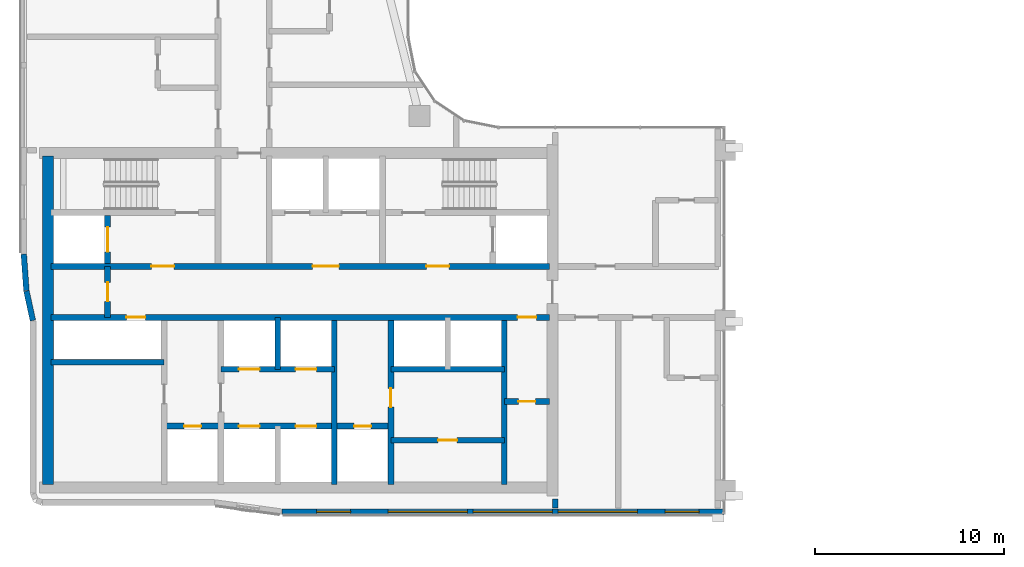
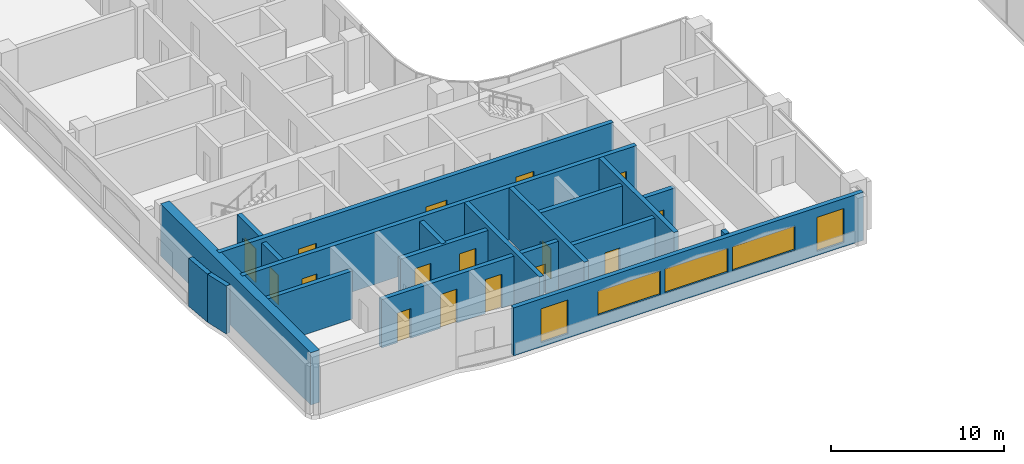
# One storey, part 10 of 23: 19 walls, 16 doors, 5 windows, 21 openings.
"""IFC4 building model written with IfcOpenShell, lengths in metres."""

from ifc_helpers import new_model, si_unit, direction, frame, frame_2d, origin, place, context, subcontext, project, spatial, rectangle, extrude, material, layer, layer_set, type_object, element, fill, save


model = new_model("IFC4")

# Units and contexts
model_context = context("Model", 3, precision=1e-05, world=origin(), true_north=direction((0.0, 1.0)))
body_context = subcontext(model_context, "Body", "Model", "MODEL_VIEW")
ifc_project = project(units=[si_unit("LENGTHUNIT", "METRE"), si_unit("AREAUNIT", "SQUARE_METRE"), si_unit("VOLUMEUNIT", "CUBIC_METRE"), si_unit("PLANEANGLEUNIT", "RADIAN"), si_unit("MASSUNIT", "GRAM", prefix="KILO")], contexts=[model_context])

# Site, building, storey
site_placement = place(None, origin())
site = spatial("IfcSite", under=ifc_project, at=site_placement, CompositionType="ELEMENT")
building_placement = place(site_placement, origin())
building = spatial("IfcBuilding", under=site, at=building_placement, Name="Ogive Portal Towers", CompositionType="ELEMENT")
storey_placement = place(building_placement, frame((0.0, 0.0, 164.39990234375)))
storey = spatial("IfcBuildingStorey", under=building, at=storey_placement, Name="L40", CompositionType="ELEMENT", Elevation=164.39990234375)

# Wall
ifc_material_1 = material(Name="Concrete C60/75", Category="concrete")
ifc_layer_1 = layer(ifc_material_1, 0.300048828125)
ifc_layer_set_1 = layer_set([ifc_layer_1], Name="CORE WALL 300 C60")
wall_type_1 = type_object("IfcWallType", Name="CORE WALL 300 C60", PredefinedType="SHEAR", material=ifc_layer_set_1)
wall_1_placement = place(storey_placement, frame((46.800048828125, 21.800048828125, 0.0), z_axis=(0.0, 0.0, 1.0), x_axis=(0.0, 1.0, 0.0)))
element("IfcWall", 1, at=wall_1_placement, inside=storey, type_object=wall_type_1, Name="Core wall X3 L40", PredefinedType="SHEAR", context=body_context, shape_type="SweptSolid", body=[
    extrude(rectangle(XDim=8.699951171875, YDim=0.300048828125, at=frame_2d((4.35009765625, 0.0))), origin(), (0.0, 0.0, 1.0), 3.7001953125),
])

# Wall, opening, door
wall_2_placement = place(storey_placement, frame((49.800048828125, 21.800048828125, 0.0), z_axis=(0.0, 0.0, 1.0), x_axis=(0.0, 1.0, 0.0)))
wall_2 = element("IfcWall", 2, at=wall_2_placement, inside=storey, type_object=wall_type_1, Name="Core wall X4 L40", PredefinedType="SHEAR", context=body_context, shape_type="SweptSolid", body=[
    extrude(rectangle(XDim=8.699951171875, YDim=0.300048828125, at=frame_2d((4.35009765625, 0.0))), origin(), (0.0, 0.0, 1.0), 3.7001953125),
])
opening_1_placement = place(wall_2_placement, frame((4.10009765625, 0.0, 0.0)))
opening_1 = element("IfcOpeningElement", 3, at=opening_1_placement, cuts=wall_2, Name="Opening D16-023", PredefinedType="OPENING", context=body_context, shape_type="SweptSolid", body=[
    extrude(rectangle(XDim=1.0, YDim=2.10009765625, at=frame_2d((0.5, 1.050048828125))), frame((0.0, 0.16015625, 0.0), z_axis=(0.0, -1.0, 0.0), x_axis=(1.0, 0.0, 0.0)), (0.0, 0.0, 1.0), 0.320068359375),
])
ifc_material_2 = material(Name="Steel fire door", Category="steel")
door_type_1 = type_object("IfcDoorType", Name="DT-SWING-1000x2100-FD90S", OperationType="SINGLE_SWING_LEFT", PredefinedType="DOOR", material=ifc_material_2)
door_1_placement = place(opening_1_placement, origin())
door_1 = element("IfcDoor", 4, at=door_1_placement, inside=storey, type_object=door_type_1, Name="Door D16-023", OperationType="SINGLE_SWING_LEFT", OverallHeight=2.10009765625, OverallWidth=1.0, PredefinedType="DOOR", context=body_context, shape_type="SweptSolid", body=[
    extrude(rectangle(XDim=1.0, YDim=2.10009765625, at=frame_2d((0.5, 1.050048828125))), frame((0.0, 0.02490234375, 0.0), z_axis=(0.0, -1.0, 0.0), x_axis=(1.0, 0.0, 0.0)), (0.0, 0.0, 1.0), 0.050048828125),
])
fill(opening_1, door_1)

# Wall
wall_3_placement = place(storey_placement, frame((55.800048828125, 21.800048828125, 0.0), z_axis=(0.0, 0.0, 1.0), x_axis=(0.0, 1.0, 0.0)))
element("IfcWall", 5, at=wall_3_placement, inside=storey, type_object=wall_type_1, Name="Core wall X5 L40", PredefinedType="SHEAR", context=body_context, shape_type="SweptSolid", body=[
    extrude(rectangle(XDim=8.699951171875, YDim=0.300048828125, at=frame_2d((4.35009765625, 0.0))), origin(), (0.0, 0.0, 1.0), 3.7001953125),
])

# Wall, openings, doors
wall_4_placement = place(storey_placement, frame((31.800048828125, 30.64990234375, 0.0), z_axis=(0.0, 0.0, 1.0), x_axis=(1.0, 0.0, 0.0)))
wall_4 = element("IfcWall", 6, at=wall_4_placement, inside=storey, type_object=wall_type_1, Name="Core wall Y1 L40", PredefinedType="SHEAR", context=body_context, shape_type="SweptSolid", body=[
    extrude(rectangle(XDim=26.39990234375, YDim=0.300048828125, at=frame_2d((13.199951171875, 0.0))), origin(), (0.0, 0.0, 1.0), 3.7001953125),
])
opening_2_placement = place(wall_4_placement, frame((24.699951171875, 0.0, 0.0)))
opening_2 = element("IfcOpeningElement", 7, at=opening_2_placement, cuts=wall_4, Name="Opening D16-009", PredefinedType="OPENING", context=body_context, shape_type="SweptSolid", body=[
    extrude(rectangle(XDim=1.0, YDim=2.10009765625, at=frame_2d((0.5, 1.050048828125))), frame((0.0, 0.16015625, 0.0), z_axis=(0.0, -1.0, 0.0), x_axis=(1.0, 0.0, 0.0)), (0.0, 0.0, 1.0), 0.320068359375),
])
opening_3_placement = place(wall_4_placement, frame((4.0, 0.0, 0.0)))
opening_3 = element("IfcOpeningElement", 8, at=opening_3_placement, cuts=wall_4, Name="Opening D16-021", PredefinedType="OPENING", context=body_context, shape_type="SweptSolid", body=[
    extrude(rectangle(XDim=1.0, YDim=2.10009765625, at=frame_2d((0.5, 1.050048828125))), frame((0.0, 0.16015625, 0.0), z_axis=(0.0, -1.0, 0.0), x_axis=(1.0, 0.0, 0.0)), (0.0, 0.0, 1.0), 0.320068359375),
])
door_2_placement = place(opening_2_placement, origin())
door_2 = element("IfcDoor", 9, at=door_2_placement, inside=storey, type_object=door_type_1, Name="Door D16-009", OperationType="SINGLE_SWING_LEFT", OverallHeight=2.10009765625, OverallWidth=1.0, PredefinedType="DOOR", context=body_context, shape_type="SweptSolid", body=[
    extrude(rectangle(XDim=1.0, YDim=2.10009765625, at=frame_2d((0.5, 1.050048828125))), frame((0.0, 0.02490234375, 0.0), z_axis=(0.0, -1.0, 0.0), x_axis=(1.0, 0.0, 0.0)), (0.0, 0.0, 1.0), 0.050048828125),
])
fill(opening_2, door_2)
door_3_placement = place(opening_3_placement, origin())
door_3 = element("IfcDoor", 10, at=door_3_placement, inside=storey, type_object=door_type_1, Name="Riser access door D16-021", OperationType="SINGLE_SWING_LEFT", OverallHeight=2.10009765625, OverallWidth=1.0, PredefinedType="DOOR", context=body_context, shape_type="SweptSolid", body=[
    extrude(rectangle(XDim=1.0, YDim=2.10009765625, at=frame_2d((0.5, 1.050048828125))), frame((0.0, 0.02490234375, 0.0), z_axis=(0.0, -1.0, 0.0), x_axis=(1.0, 0.0, 0.0)), (0.0, 0.0, 1.0), 0.050048828125),
])
fill(opening_3, door_3)

wall_5_placement = place(storey_placement, frame((31.800048828125, 33.35009765625, 0.0), z_axis=(0.0, 0.0, 1.0), x_axis=(1.0, 0.0, 0.0)))
wall_5 = element("IfcWall", 11, at=wall_5_placement, inside=storey, type_object=wall_type_1, Name="Core wall Y2 L40", PredefinedType="SHEAR", context=body_context, shape_type="SweptSolid", body=[
    extrude(rectangle(XDim=26.39990234375, YDim=0.300048828125, at=frame_2d((13.199951171875, 0.0))), origin(), (0.0, 0.0, 1.0), 3.7001953125),
])
opening_4_placement = place(wall_5_placement, frame((13.85009765625, 0.0, 0.0)))
opening_4 = element("IfcOpeningElement", 12, at=opening_4_placement, cuts=wall_5, Name="Opening D16-002", PredefinedType="OPENING", context=body_context, shape_type="SweptSolid", body=[
    extrude(rectangle(XDim=1.39990234375, YDim=2.10009765625, at=frame_2d((0.699951171875, 1.050048828125))), frame((0.0, 0.16015625, 0.0), z_axis=(0.0, -1.0, 0.0), x_axis=(1.0, 0.0, 0.0)), (0.0, 0.0, 1.0), 0.320068359375),
])
opening_5_placement = place(wall_5_placement, frame((5.324951171875, 0.0, 0.0)))
opening_5 = element("IfcOpeningElement", 13, at=opening_5_placement, cuts=wall_5, Name="Opening D16-003", PredefinedType="OPENING", context=body_context, shape_type="SweptSolid", body=[
    extrude(rectangle(XDim=1.199951171875, YDim=2.10009765625, at=frame_2d((0.60009765625, 1.050048828125))), frame((0.0, 0.16015625, 0.0), z_axis=(0.0, -1.0, 0.0), x_axis=(1.0, 0.0, 0.0)), (0.0, 0.0, 1.0), 0.320068359375),
])
opening_6_placement = place(wall_5_placement, frame((19.875, 0.0, 0.0)))
opening_6 = element("IfcOpeningElement", 14, at=opening_6_placement, cuts=wall_5, Name="Opening D16-004", PredefinedType="OPENING", context=body_context, shape_type="SweptSolid", body=[
    extrude(rectangle(XDim=1.199951171875, YDim=2.10009765625, at=frame_2d((0.60009765625, 1.050048828125))), frame((0.0, 0.16015625, 0.0), z_axis=(0.0, -1.0, 0.0), x_axis=(1.0, 0.0, 0.0)), (0.0, 0.0, 1.0), 0.320068359375),
])
door_type_2 = type_object("IfcDoorType", Name="DT-SWING-1200x2100-FD90S", OperationType="SINGLE_SWING_LEFT", PredefinedType="DOOR", material=ifc_material_2)
door_4_placement = place(opening_5_placement, origin())
door_4 = element("IfcDoor", 15, at=door_4_placement, inside=storey, type_object=door_type_2, Name="Door D16-003", OperationType="SINGLE_SWING_LEFT", OverallHeight=2.10009765625, OverallWidth=1.199951171875, PredefinedType="DOOR", context=body_context, shape_type="SweptSolid", body=[
    extrude(rectangle(XDim=1.199951171875, YDim=2.10009765625, at=frame_2d((0.60009765625, 1.050048828125))), frame((0.0, 0.02490234375, 0.0), z_axis=(0.0, -1.0, 0.0), x_axis=(1.0, 0.0, 0.0)), (0.0, 0.0, 1.0), 0.050048828125),
])
fill(opening_5, door_4)
door_5_placement = place(opening_6_placement, origin())
door_5 = element("IfcDoor", 16, at=door_5_placement, inside=storey, type_object=door_type_2, Name="Door D16-004", OperationType="SINGLE_SWING_RIGHT", OverallHeight=2.10009765625, OverallWidth=1.199951171875, PredefinedType="DOOR", context=body_context, shape_type="SweptSolid", body=[
    extrude(rectangle(XDim=1.199951171875, YDim=2.10009765625, at=frame_2d((0.60009765625, 1.050048828125))), frame((0.0, 0.02490234375, 0.0), z_axis=(0.0, -1.0, 0.0), x_axis=(1.0, 0.0, 0.0)), (0.0, 0.0, 1.0), 0.050048828125),
])
fill(opening_6, door_5)
door_type_3 = type_object("IfcDoorType", Name="DT-SWING-1400x2100-FD90S", OperationType="SINGLE_SWING_LEFT", PredefinedType="DOOR", material=ifc_material_2)
door_6_placement = place(opening_4_placement, origin())
door_6 = element("IfcDoor", 17, at=door_6_placement, inside=storey, type_object=door_type_3, Name="Door D16-002", OperationType="SINGLE_SWING_RIGHT", OverallHeight=2.10009765625, OverallWidth=1.39990234375, PredefinedType="DOOR", context=body_context, shape_type="SweptSolid", body=[
    extrude(rectangle(XDim=1.39990234375, YDim=2.10009765625, at=frame_2d((0.699951171875, 1.050048828125))), frame((0.0, 0.02490234375, 0.0), z_axis=(0.0, -1.0, 0.0), x_axis=(1.0, 0.0, 0.0)), (0.0, 0.0, 1.0), 0.050048828125),
])
fill(opening_4, door_6)

# Wall, opening, door
wall_6_placement = place(storey_placement, frame((34.800048828125, 33.5, 0.0), z_axis=(0.0, 0.0, 1.0), x_axis=(0.0, 1.0, 0.0)))
wall_6 = element("IfcWall", 18, at=wall_6_placement, inside=storey, type_object=wall_type_1, Name="Core wall X8 L40", PredefinedType="SHEAR", context=body_context, shape_type="SweptSolid", body=[
    extrude(rectangle(XDim=2.550048828125, YDim=0.300048828125, at=frame_2d((1.27490234375, 0.0))), origin(), (0.0, 0.0, 1.0), 3.7001953125),
])
opening_7_placement = place(wall_6_placement, frame((0.625, 0.0, 0.0)))
opening_7 = element("IfcOpeningElement", 19, at=opening_7_placement, cuts=wall_6, Name="Opening D16-019", PredefinedType="OPENING", context=body_context, shape_type="SweptSolid", body=[
    extrude(rectangle(XDim=1.300048828125, YDim=2.39990234375, at=frame_2d((0.64990234375, 1.199951171875))), frame((0.0, 0.16015625, 0.0), z_axis=(0.0, -1.0, 0.0), x_axis=(1.0, 0.0, 0.0)), (0.0, 0.0, 1.0), 0.320068359375),
])
ifc_material_3 = material(Name="Stainless steel", Category="steel")
door_type_4 = type_object("IfcDoorType", Name="DT-LD-1300x2400", OperationType="SLIDING_TO_LEFT", PredefinedType="DOOR", material=ifc_material_3)
door_7_placement = place(opening_7_placement, origin())
door_7 = element("IfcDoor", 20, at=door_7_placement, inside=storey, type_object=door_type_4, Name="Door D16-019", OperationType="SLIDING_TO_LEFT", OverallHeight=2.39990234375, OverallWidth=1.300048828125, PredefinedType="DOOR", context=body_context, shape_type="SweptSolid", body=[
    extrude(rectangle(XDim=1.300048828125, YDim=2.39990234375, at=frame_2d((0.64990234375, 1.199951171875))), frame((0.0, 0.02490234375, 0.0), z_axis=(0.0, -1.0, 0.0), x_axis=(1.0, 0.0, 0.0)), (0.0, 0.0, 1.0), 0.050048828125),
])
fill(opening_7, door_7)

# Wall
ifc_layer_2 = layer(ifc_material_1, 0.60009765625)
ifc_layer_set_2 = layer_set([ifc_layer_2], Name="CORE WALL 600 C60")
wall_type_2 = type_object("IfcWallType", Name="CORE WALL 600 C60", PredefinedType="SHEAR", material=ifc_layer_set_2)
wall_7_placement = place(storey_placement, frame((31.64990234375, 21.800048828125, 0.0), z_axis=(0.0, 0.0, 1.0), x_axis=(0.0, 1.0, 0.0)))
element("IfcWall", 21, at=wall_7_placement, inside=storey, type_object=wall_type_2, Name="Core wall W L40", PredefinedType="SHEAR", context=body_context, shape_type="SweptSolid", body=[
    extrude(rectangle(XDim=17.39990234375, YDim=0.60009765625, at=frame_2d((8.699951171875, 0.0))), origin(), (0.0, 0.0, 1.0), 3.7001953125),
])

# Wall, openings, windows
ifc_material_4 = material(Name="Limestone cladding on lightweight block wall", Category="masonry")
ifc_layer_3 = layer(ifc_material_4, 0.300048828125)
ifc_layer_set_3 = layer_set([ifc_layer_3], Name="EXTERNAL WALL 300 STONE")
wall_type_3 = type_object("IfcWallType", Name="EXTERNAL WALL 300 STONE", PredefinedType="SOLIDWALL", material=ifc_layer_set_3)
wall_8_placement = place(storey_placement, frame((44.0205078125, 20.364990234375, 0.0), z_axis=(0.0, 0.0, 1.0), x_axis=(1.0, 0.0, 0.0)))
wall_8 = element("IfcWall", 22, at=wall_8_placement, inside=storey, type_object=wall_type_3, Name="A:L40:f05:r0:wall", PredefinedType="SOLIDWALL", context=body_context, shape_type="SweptSolid", body=[
    extrude(rectangle(XDim=23.3994140625, YDim=0.300048828125, at=frame_2d((11.69970703125, 0.0))), origin(), (0.0, 0.0, 1.0), 3.400146484375),
])
opening_8_placement = place(wall_8_placement, frame((1.83984375, 0.0, 0.300048828125)))
opening_8 = element("IfcOpeningElement", 23, at=opening_8_placement, cuts=wall_8, Name="Opening WN10", PredefinedType="OPENING", context=body_context, shape_type="SweptSolid", body=[
    extrude(rectangle(XDim=1.800048828125, YDim=2.39990234375, at=frame_2d((0.89990234375, 1.199951171875))), frame((0.0, 0.16015625, 0.0), z_axis=(0.0, -1.0, 0.0), x_axis=(1.0, 0.0, 0.0)), (0.0, 0.0, 1.0), 0.320068359375),
])
opening_9_placement = place(wall_8_placement, frame((5.629638671875, 0.0, 0.89990234375)))
opening_9 = element("IfcOpeningElement", 24, at=opening_9_placement, cuts=wall_8, Name="Opening WN13", PredefinedType="OPENING", context=body_context, shape_type="SweptSolid", body=[
    extrude(rectangle(XDim=4.199951171875, YDim=1.699951171875, at=frame_2d((2.10009765625, 0.85009765625))), frame((0.0, 0.16015625, 0.0), z_axis=(0.0, -1.0, 0.0), x_axis=(1.0, 0.0, 0.0)), (0.0, 0.0, 1.0), 0.320068359375),
])
opening_10_placement = place(wall_8_placement, frame((10.129638671875, 0.0, 0.89990234375)))
opening_10 = element("IfcOpeningElement", 25, at=opening_10_placement, cuts=wall_8, Name="Opening WN13", PredefinedType="OPENING", context=body_context, shape_type="SweptSolid", body=[
    extrude(rectangle(XDim=4.199951171875, YDim=1.699951171875, at=frame_2d((2.10009765625, 0.85009765625))), frame((0.0, 0.16015625, 0.0), z_axis=(0.0, -1.0, 0.0), x_axis=(1.0, 0.0, 0.0)), (0.0, 0.0, 1.0), 0.320068359375),
])
opening_11_placement = place(wall_8_placement, frame((14.629638671875, 0.0, 0.89990234375)))
opening_11 = element("IfcOpeningElement", 26, at=opening_11_placement, cuts=wall_8, Name="Opening WN13", PredefinedType="OPENING", context=body_context, shape_type="SweptSolid", body=[
    extrude(rectangle(XDim=4.199951171875, YDim=1.699951171875, at=frame_2d((2.10009765625, 0.85009765625))), frame((0.0, 0.16015625, 0.0), z_axis=(0.0, -1.0, 0.0), x_axis=(1.0, 0.0, 0.0)), (0.0, 0.0, 1.0), 0.320068359375),
])
opening_12_placement = place(wall_8_placement, frame((20.28955078125, 0.0, 0.300048828125)))
opening_12 = element("IfcOpeningElement", 27, at=opening_12_placement, cuts=wall_8, Name="Opening WN10", PredefinedType="OPENING", context=body_context, shape_type="SweptSolid", body=[
    extrude(rectangle(XDim=1.800048828125, YDim=2.39990234375, at=frame_2d((0.89990234375, 1.199951171875))), frame((0.0, 0.16015625, 0.0), z_axis=(0.0, -1.0, 0.0), x_axis=(1.0, 0.0, 0.0)), (0.0, 0.0, 1.0), 0.320068359375),
])
ifc_material_5 = material(Name="Glass, clear low-iron insulated glazing", Category="glass")
window_type_1 = type_object("IfcWindowType", Name="WINDOW RIBBON LANCET 4200x1700", PartitioningType="TRIPLE_PANEL_VERTICAL", PredefinedType="WINDOW", material=ifc_material_5)
window_1_placement = place(opening_9_placement, origin())
window_1 = element("IfcWindow", 28, at=window_1_placement, inside=storey, type_object=window_type_1, Name="A:L40:f05:r0:w1", OverallHeight=1.699951171875, OverallWidth=4.199951171875, PartitioningType="SINGLE_PANEL", PredefinedType="WINDOW", context=body_context, shape_type="SweptSolid", body=[
    extrude(rectangle(XDim=4.199951171875, YDim=1.699951171875, at=frame_2d((2.10009765625, 0.85009765625))), frame((0.0, 0.030029296875, 0.0), z_axis=(0.0, -1.0, 0.0), x_axis=(1.0, 0.0, 0.0)), (0.0, 0.0, 1.0), 0.06005859375),
])
fill(opening_9, window_1)
window_2_placement = place(opening_10_placement, origin())
window_2 = element("IfcWindow", 29, at=window_2_placement, inside=storey, type_object=window_type_1, Name="A:L40:f05:r0:w2", OverallHeight=1.699951171875, OverallWidth=4.199951171875, PartitioningType="SINGLE_PANEL", PredefinedType="WINDOW", context=body_context, shape_type="SweptSolid", body=[
    extrude(rectangle(XDim=4.199951171875, YDim=1.699951171875, at=frame_2d((2.10009765625, 0.85009765625))), frame((0.0, 0.030029296875, 0.0), z_axis=(0.0, -1.0, 0.0), x_axis=(1.0, 0.0, 0.0)), (0.0, 0.0, 1.0), 0.06005859375),
])
fill(opening_10, window_2)
window_3_placement = place(opening_11_placement, origin())
window_3 = element("IfcWindow", 30, at=window_3_placement, inside=storey, type_object=window_type_1, Name="A:L40:f05:r0:w3", OverallHeight=1.699951171875, OverallWidth=4.199951171875, PartitioningType="SINGLE_PANEL", PredefinedType="WINDOW", context=body_context, shape_type="SweptSolid", body=[
    extrude(rectangle(XDim=4.199951171875, YDim=1.699951171875, at=frame_2d((2.10009765625, 0.85009765625))), frame((0.0, 0.030029296875, 0.0), z_axis=(0.0, -1.0, 0.0), x_axis=(1.0, 0.0, 0.0)), (0.0, 0.0, 1.0), 0.06005859375),
])
fill(opening_11, window_3)
window_type_2 = type_object("IfcWindowType", Name="WINDOW SUITE CORNER 1800x2400", PartitioningType="DOUBLE_PANEL_VERTICAL", PredefinedType="WINDOW", material=ifc_material_5)
window_4_placement = place(opening_8_placement, origin())
window_4 = element("IfcWindow", 31, at=window_4_placement, inside=storey, type_object=window_type_2, Name="A:L40:f05:r0:w0", OverallHeight=2.39990234375, OverallWidth=1.800048828125, PartitioningType="SINGLE_PANEL", PredefinedType="WINDOW", context=body_context, shape_type="SweptSolid", body=[
    extrude(rectangle(XDim=1.800048828125, YDim=2.39990234375, at=frame_2d((0.89990234375, 1.199951171875))), frame((0.0, 0.030029296875, 0.0), z_axis=(0.0, -1.0, 0.0), x_axis=(1.0, 0.0, 0.0)), (0.0, 0.0, 1.0), 0.06005859375),
])
fill(opening_8, window_4)
window_5_placement = place(opening_12_placement, origin())
window_5 = element("IfcWindow", 32, at=window_5_placement, inside=storey, type_object=window_type_2, Name="A:L40:f05:r0:w4", OverallHeight=2.39990234375, OverallWidth=1.800048828125, PartitioningType="SINGLE_PANEL", PredefinedType="WINDOW", context=body_context, shape_type="SweptSolid", body=[
    extrude(rectangle(XDim=1.800048828125, YDim=2.39990234375, at=frame_2d((0.89990234375, 1.199951171875))), frame((0.0, 0.030029296875, 0.0), z_axis=(0.0, -1.0, 0.0), x_axis=(1.0, 0.0, 0.0)), (0.0, 0.0, 1.0), 0.06005859375),
])
fill(opening_12, window_5)

# Walls
wall_9_placement = place(storey_placement, frame((30.365478515625, 34.0, 0.0), z_axis=(0.0, 0.0, 1.0), x_axis=(0.071300859436, -0.99745485484, 0.0)))
element("IfcWall", 33, at=wall_9_placement, inside=storey, type_object=wall_type_3, Name="A:L40:f20:r0:wall", PredefinedType="SOLIDWALL", context=body_context, shape_type="SweptSolid", body=[
    extrude(rectangle(XDim=1.9345703125, YDim=0.300048828125, at=frame_2d((0.96728515625, 0.0))), origin(), (0.0, 0.0, 1.0), 3.400146484375),
])
wall_10_placement = place(storey_placement, frame((30.50634765625, 32.049072265625, 0.0), z_axis=(0.0, 0.0, 1.0), x_axis=(0.212695686462, -0.977118490747, 0.0)))
element("IfcWall", 34, at=wall_10_placement, inside=storey, type_object=wall_type_3, Name="A:L40:f21:r0:wall", PredefinedType="SOLIDWALL", context=body_context, shape_type="SweptSolid", body=[
    extrude(rectangle(XDim=1.60009765625, YDim=0.300048828125, at=frame_2d((0.800048828125, 0.0))), origin(), (0.0, 0.0, 1.0), 3.400146484375),
])

# Wall, opening, door
ifc_material_6 = material(Name="Gypsum board partition on steel studs", Category="steel")
ifc_layer_4 = layer(ifc_material_6, 0.300048828125)
ifc_layer_set_4 = layer_set([ifc_layer_4], Name="WT-PART-300")
wall_type_4 = type_object("IfcWallType", Name="WT-PART-300", PredefinedType="PARTITIONING", material=ifc_layer_set_4)
wall_11_placement = place(storey_placement, frame((49.800048828125, 24.14990234375, 0.0), z_axis=(0.0, 0.0, 1.0), x_axis=(1.0, 0.0, 0.0)))
wall_11 = element("IfcWall", 35, at=wall_11_placement, inside=storey, type_object=wall_type_4, Name="Wall pw:001:L40", PredefinedType="PARTITIONING", context=body_context, shape_type="SweptSolid", body=[
    extrude(rectangle(XDim=6.0, YDim=0.300048828125, at=frame_2d((3.0, 0.0))), origin(), (0.0, 0.0, 1.0), 3.400146484375),
])
opening_13_placement = place(wall_11_placement, frame((2.5, 0.0, 0.0)))
opening_13 = element("IfcOpeningElement", 36, at=opening_13_placement, cuts=wall_11, Name="Opening D16-024", PredefinedType="OPENING", context=body_context, shape_type="SweptSolid", body=[
    extrude(rectangle(XDim=1.0, YDim=2.10009765625, at=frame_2d((0.5, 1.050048828125))), frame((0.0, 0.16015625, 0.0), z_axis=(0.0, -1.0, 0.0), x_axis=(1.0, 0.0, 0.0)), (0.0, 0.0, 1.0), 0.320068359375),
])
door_type_5 = type_object("IfcDoorType", Name="DT-SWING-1000x2100-FD60S", OperationType="SINGLE_SWING_LEFT", PredefinedType="DOOR", material=ifc_material_2)
door_8_placement = place(opening_13_placement, origin())
door_8 = element("IfcDoor", 37, at=door_8_placement, inside=storey, type_object=door_type_5, Name="Door D16-024", OperationType="SINGLE_SWING_RIGHT", OverallHeight=2.10009765625, OverallWidth=1.0, PredefinedType="DOOR", context=body_context, shape_type="SweptSolid", body=[
    extrude(rectangle(XDim=1.0, YDim=2.10009765625, at=frame_2d((0.5, 1.050048828125))), frame((0.0, 0.02490234375, 0.0), z_axis=(0.0, -1.0, 0.0), x_axis=(1.0, 0.0, 0.0)), (0.0, 0.0, 1.0), 0.050048828125),
])
fill(opening_13, door_8)

wall_12_placement = place(storey_placement, frame((55.800048828125, 26.199951171875, 0.0), z_axis=(0.0, 0.0, 1.0), x_axis=(1.0, 0.0, 0.0)))
wall_12 = element("IfcWall", 38, at=wall_12_placement, inside=storey, type_object=wall_type_4, Name="Wall pw:003:L40", PredefinedType="PARTITIONING", context=body_context, shape_type="SweptSolid", body=[
    extrude(rectangle(XDim=2.39990234375, YDim=0.300048828125, at=frame_2d((1.199951171875, 0.0))), origin(), (0.0, 0.0, 1.0), 3.400146484375),
])
opening_14_placement = place(wall_12_placement, frame((0.75, 0.0, 0.0)))
opening_14 = element("IfcOpeningElement", 39, at=opening_14_placement, cuts=wall_12, Name="Opening D16-010", PredefinedType="OPENING", context=body_context, shape_type="SweptSolid", body=[
    extrude(rectangle(XDim=0.89990234375, YDim=2.10009765625, at=frame_2d((0.449951171875, 1.050048828125))), frame((0.0, 0.16015625, 0.0), z_axis=(0.0, -1.0, 0.0), x_axis=(1.0, 0.0, 0.0)), (0.0, 0.0, 1.0), 0.320068359375),
])
door_type_6 = type_object("IfcDoorType", Name="DT-SWING-900x2100-FD60S", OperationType="SINGLE_SWING_LEFT", PredefinedType="DOOR", material=ifc_material_2)
door_9_placement = place(opening_14_placement, origin())
door_9 = element("IfcDoor", 40, at=door_9_placement, inside=storey, type_object=door_type_6, Name="Door D16-010", OperationType="SINGLE_SWING_RIGHT", OverallHeight=2.10009765625, OverallWidth=0.89990234375, PredefinedType="DOOR", context=body_context, shape_type="SweptSolid", body=[
    extrude(rectangle(XDim=0.89990234375, YDim=2.10009765625, at=frame_2d((0.449951171875, 1.050048828125))), frame((0.0, 0.02490234375, 0.0), z_axis=(0.0, -1.0, 0.0), x_axis=(1.0, 0.0, 0.0)), (0.0, 0.0, 1.0), 0.050048828125),
])
fill(opening_14, door_9)

# Walls
wall_13_placement = place(storey_placement, frame((31.800048828125, 28.277099609375, 0.0), z_axis=(0.0, 0.0, 1.0), x_axis=(1.0, 0.0, 0.0)))
element("IfcWall", 41, at=wall_13_placement, inside=storey, type_object=wall_type_4, Name="Wall pw:006:L40", PredefinedType="PARTITIONING", context=body_context, shape_type="SweptSolid", body=[
    extrude(rectangle(XDim=6.0, YDim=0.300048828125, at=frame_2d((3.0, 0.0))), origin(), (0.0, 0.0, 1.0), 3.400146484375),
])
ifc_layer_5 = layer(ifc_material_6, 0.300048828125)
ifc_layer_set_5 = layer_set([ifc_layer_5], Name="WT-PART-300-EI 60")
wall_type_5 = type_object("IfcWallType", Name="WT-PART-300-EI 60", PredefinedType="PARTITIONING", material=ifc_layer_set_5)
wall_14_placement = place(storey_placement, frame((58.5, 20.56494140625, 0.0), z_axis=(0.0, 0.0, 1.0), x_axis=(0.0, 1.0, 0.0)))
element("IfcWall", 42, at=wall_14_placement, inside=storey, type_object=wall_type_5, Name="Wall L40:w037", PredefinedType="PARTITIONING", context=body_context, shape_type="SweptSolid", body=[
    extrude(rectangle(XDim=0.465087890625, YDim=0.300048828125, at=frame_2d((0.232421875, 0.0))), origin(), (0.0, 0.0, 1.0), 3.400146484375),
])

# Wall, openings, doors
ifc_material_7 = material(Name="Concrete C40/50", Category="concrete")
ifc_layer_6 = layer(ifc_material_7, 0.300048828125)
ifc_layer_set_6 = layer_set([ifc_layer_6], Name="WT-SHAFT-300")
wall_type_6 = type_object("IfcWallType", Name="WT-SHAFT-300", PredefinedType="SOLIDWALL", material=ifc_layer_set_6)
wall_15_placement = place(storey_placement, frame((37.800048828125, 24.89990234375, 0.0), z_axis=(0.0, 0.0, 1.0), x_axis=(1.0, 0.0, 0.0)))
wall_15 = element("IfcWall", 43, at=wall_15_placement, inside=storey, type_object=wall_type_6, Name="Wall pw:002:L40", PredefinedType="SOLIDWALL", context=body_context, shape_type="SweptSolid", body=[
    extrude(rectangle(XDim=12.0, YDim=0.300048828125, at=frame_2d((6.0, 0.0))), origin(), (0.0, 0.0, 1.0), 3.400146484375),
])
opening_15_placement = place(wall_15_placement, frame((1.050048828125, 0.0, 0.0)))
opening_15 = element("IfcOpeningElement", 44, at=opening_15_placement, cuts=wall_15, Name="Opening D16-007", PredefinedType="OPENING", context=body_context, shape_type="SweptSolid", body=[
    extrude(rectangle(XDim=0.89990234375, YDim=2.10009765625, at=frame_2d((0.449951171875, 1.050048828125))), frame((0.0, 0.16015625, 0.0), z_axis=(0.0, -1.0, 0.0), x_axis=(1.0, 0.0, 0.0)), (0.0, 0.0, 1.0), 0.320068359375),
])
opening_16_placement = place(wall_15_placement, frame((10.050048828125, 0.0, 0.0)))
opening_16 = element("IfcOpeningElement", 45, at=opening_16_placement, cuts=wall_15, Name="Opening D16-008", PredefinedType="OPENING", context=body_context, shape_type="SweptSolid", body=[
    extrude(rectangle(XDim=0.89990234375, YDim=2.10009765625, at=frame_2d((0.449951171875, 1.050048828125))), frame((0.0, 0.16015625, 0.0), z_axis=(0.0, -1.0, 0.0), x_axis=(1.0, 0.0, 0.0)), (0.0, 0.0, 1.0), 0.320068359375),
])
opening_17_placement = place(wall_15_placement, frame((3.949951171875, 0.0, 0.0)))
opening_17 = element("IfcOpeningElement", 46, at=opening_17_placement, cuts=wall_15, Name="Opening D16-013", PredefinedType="OPENING", context=body_context, shape_type="SweptSolid", body=[
    extrude(rectangle(XDim=1.10009765625, YDim=2.39990234375, at=frame_2d((0.550048828125, 1.199951171875))), frame((0.0, 0.16015625, 0.0), z_axis=(0.0, -1.0, 0.0), x_axis=(1.0, 0.0, 0.0)), (0.0, 0.0, 1.0), 0.320068359375),
])
opening_18_placement = place(wall_15_placement, frame((6.949951171875, 0.0, 0.0)))
opening_18 = element("IfcOpeningElement", 47, at=opening_18_placement, cuts=wall_15, Name="Opening D16-014", PredefinedType="OPENING", context=body_context, shape_type="SweptSolid", body=[
    extrude(rectangle(XDim=1.10009765625, YDim=2.39990234375, at=frame_2d((0.550048828125, 1.199951171875))), frame((0.0, 0.16015625, 0.0), z_axis=(0.0, -1.0, 0.0), x_axis=(1.0, 0.0, 0.0)), (0.0, 0.0, 1.0), 0.320068359375),
])
door_type_7 = type_object("IfcDoorType", Name="DT-LD-1100x2400", OperationType="SLIDING_TO_LEFT", PredefinedType="DOOR", material=ifc_material_3)
door_10_placement = place(opening_17_placement, origin())
door_10 = element("IfcDoor", 48, at=door_10_placement, inside=storey, type_object=door_type_7, Name="Door D16-013", OperationType="SLIDING_TO_LEFT", OverallHeight=2.39990234375, OverallWidth=1.10009765625, PredefinedType="DOOR", context=body_context, shape_type="SweptSolid", body=[
    extrude(rectangle(XDim=1.10009765625, YDim=2.39990234375, at=frame_2d((0.550048828125, 1.199951171875))), frame((0.0, 0.02490234375, 0.0), z_axis=(0.0, -1.0, 0.0), x_axis=(1.0, 0.0, 0.0)), (0.0, 0.0, 1.0), 0.050048828125),
])
fill(opening_17, door_10)
door_11_placement = place(opening_18_placement, origin())
door_11 = element("IfcDoor", 49, at=door_11_placement, inside=storey, type_object=door_type_7, Name="Door D16-014", OperationType="SLIDING_TO_LEFT", OverallHeight=2.39990234375, OverallWidth=1.10009765625, PredefinedType="DOOR", context=body_context, shape_type="SweptSolid", body=[
    extrude(rectangle(XDim=1.10009765625, YDim=2.39990234375, at=frame_2d((0.550048828125, 1.199951171875))), frame((0.0, 0.02490234375, 0.0), z_axis=(0.0, -1.0, 0.0), x_axis=(1.0, 0.0, 0.0)), (0.0, 0.0, 1.0), 0.050048828125),
])
fill(opening_18, door_11)
door_type_8 = type_object("IfcDoorType", Name="DT-SWING-900x2100-FD90S", OperationType="SINGLE_SWING_LEFT", PredefinedType="DOOR", material=ifc_material_2)
door_12_placement = place(opening_15_placement, origin())
door_12 = element("IfcDoor", 50, at=door_12_placement, inside=storey, type_object=door_type_8, Name="Riser access door D16-007", OperationType="SINGLE_SWING_LEFT", OverallHeight=2.10009765625, OverallWidth=0.89990234375, PredefinedType="DOOR", context=body_context, shape_type="SweptSolid", body=[
    extrude(rectangle(XDim=0.89990234375, YDim=2.10009765625, at=frame_2d((0.449951171875, 1.050048828125))), frame((0.0, 0.02490234375, 0.0), z_axis=(0.0, -1.0, 0.0), x_axis=(1.0, 0.0, 0.0)), (0.0, 0.0, 1.0), 0.050048828125),
])
fill(opening_15, door_12)
door_13_placement = place(opening_16_placement, origin())
door_13 = element("IfcDoor", 51, at=door_13_placement, inside=storey, type_object=door_type_8, Name="Riser access door D16-008", OperationType="SINGLE_SWING_RIGHT", OverallHeight=2.10009765625, OverallWidth=0.89990234375, PredefinedType="DOOR", context=body_context, shape_type="SweptSolid", body=[
    extrude(rectangle(XDim=0.89990234375, YDim=2.10009765625, at=frame_2d((0.449951171875, 1.050048828125))), frame((0.0, 0.02490234375, 0.0), z_axis=(0.0, -1.0, 0.0), x_axis=(1.0, 0.0, 0.0)), (0.0, 0.0, 1.0), 0.050048828125),
])
fill(opening_16, door_13)

wall_16_placement = place(storey_placement, frame((40.800048828125, 27.89990234375, 0.0), z_axis=(0.0, 0.0, 1.0), x_axis=(1.0, 0.0, 0.0)))
wall_16 = element("IfcWall", 52, at=wall_16_placement, inside=storey, type_object=wall_type_6, Name="Wall pw:004:L40", PredefinedType="SOLIDWALL", context=body_context, shape_type="SweptSolid", body=[
    extrude(rectangle(XDim=6.0, YDim=0.300048828125, at=frame_2d((3.0, 0.0))), origin(), (0.0, 0.0, 1.0), 3.400146484375),
])
opening_19_placement = place(wall_16_placement, frame((0.949951171875, 0.0, 0.0)))
opening_19 = element("IfcOpeningElement", 53, at=opening_19_placement, cuts=wall_16, Name="Opening D16-015", PredefinedType="OPENING", context=body_context, shape_type="SweptSolid", body=[
    extrude(rectangle(XDim=1.10009765625, YDim=2.39990234375, at=frame_2d((0.550048828125, 1.199951171875))), frame((0.0, 0.16015625, 0.0), z_axis=(0.0, -1.0, 0.0), x_axis=(1.0, 0.0, 0.0)), (0.0, 0.0, 1.0), 0.320068359375),
])
opening_20_placement = place(wall_16_placement, frame((3.949951171875, 0.0, 0.0)))
opening_20 = element("IfcOpeningElement", 54, at=opening_20_placement, cuts=wall_16, Name="Opening D16-016", PredefinedType="OPENING", context=body_context, shape_type="SweptSolid", body=[
    extrude(rectangle(XDim=1.10009765625, YDim=2.39990234375, at=frame_2d((0.550048828125, 1.199951171875))), frame((0.0, 0.16015625, 0.0), z_axis=(0.0, -1.0, 0.0), x_axis=(1.0, 0.0, 0.0)), (0.0, 0.0, 1.0), 0.320068359375),
])
door_14_placement = place(opening_19_placement, origin())
door_14 = element("IfcDoor", 55, at=door_14_placement, inside=storey, type_object=door_type_7, Name="Door D16-015", OperationType="SLIDING_TO_LEFT", OverallHeight=2.39990234375, OverallWidth=1.10009765625, PredefinedType="DOOR", context=body_context, shape_type="SweptSolid", body=[
    extrude(rectangle(XDim=1.10009765625, YDim=2.39990234375, at=frame_2d((0.550048828125, 1.199951171875))), frame((0.0, 0.02490234375, 0.0), z_axis=(0.0, -1.0, 0.0), x_axis=(1.0, 0.0, 0.0)), (0.0, 0.0, 1.0), 0.050048828125),
])
fill(opening_19, door_14)
door_15_placement = place(opening_20_placement, origin())
door_15 = element("IfcDoor", 56, at=door_15_placement, inside=storey, type_object=door_type_7, Name="Door D16-016", OperationType="SLIDING_TO_LEFT", OverallHeight=2.39990234375, OverallWidth=1.10009765625, PredefinedType="DOOR", context=body_context, shape_type="SweptSolid", body=[
    extrude(rectangle(XDim=1.10009765625, YDim=2.39990234375, at=frame_2d((0.550048828125, 1.199951171875))), frame((0.0, 0.02490234375, 0.0), z_axis=(0.0, -1.0, 0.0), x_axis=(1.0, 0.0, 0.0)), (0.0, 0.0, 1.0), 0.050048828125),
])
fill(opening_20, door_15)

# Wall
wall_17_placement = place(storey_placement, frame((49.800048828125, 27.89990234375, 0.0), z_axis=(0.0, 0.0, 1.0), x_axis=(1.0, 0.0, 0.0)))
element("IfcWall", 57, at=wall_17_placement, inside=storey, type_object=wall_type_6, Name="Wall pw:005:L40", PredefinedType="SOLIDWALL", context=body_context, shape_type="SweptSolid", body=[
    extrude(rectangle(XDim=6.0, YDim=0.300048828125, at=frame_2d((3.0, 0.0))), origin(), (0.0, 0.0, 1.0), 3.400146484375),
])

# Wall, opening, door
wall_18_placement = place(storey_placement, frame((34.800048828125, 30.64990234375, 0.0), z_axis=(0.0, 0.0, 1.0), x_axis=(0.0, 1.0, 0.0)))
wall_18 = element("IfcWall", 58, at=wall_18_placement, inside=storey, type_object=wall_type_6, Name="Wall pw:007:L40", PredefinedType="SOLIDWALL", context=body_context, shape_type="SweptSolid", body=[
    extrude(rectangle(XDim=2.7001953125, YDim=0.300048828125, at=frame_2d((1.35009765625, 0.0))), origin(), (0.0, 0.0, 1.0), 3.400146484375),
])
opening_21_placement = place(wall_18_placement, frame((0.85009765625, 0.0, 0.0)))
opening_21 = element("IfcOpeningElement", 59, at=opening_21_placement, cuts=wall_18, Name="Opening D16-025", PredefinedType="OPENING", context=body_context, shape_type="SweptSolid", body=[
    extrude(rectangle(XDim=1.0, YDim=2.10009765625, at=frame_2d((0.5, 1.050048828125))), frame((0.0, 0.16015625, 0.0), z_axis=(0.0, -1.0, 0.0), x_axis=(1.0, 0.0, 0.0)), (0.0, 0.0, 1.0), 0.320068359375),
])
door_16_placement = place(opening_21_placement, origin())
door_16 = element("IfcDoor", 60, at=door_16_placement, inside=storey, type_object=door_type_1, Name="Door D16-025", OperationType="SINGLE_SWING_LEFT", OverallHeight=2.10009765625, OverallWidth=1.0, PredefinedType="DOOR", context=body_context, shape_type="SweptSolid", body=[
    extrude(rectangle(XDim=1.0, YDim=2.10009765625, at=frame_2d((0.5, 1.050048828125))), frame((0.0, 0.02490234375, 0.0), z_axis=(0.0, -1.0, 0.0), x_axis=(1.0, 0.0, 0.0)), (0.0, 0.0, 1.0), 0.050048828125),
])
fill(opening_21, door_16)

# Wall
wall_19_placement = place(storey_placement, frame((43.800048828125, 27.89990234375, 0.0), z_axis=(0.0, 0.0, 1.0), x_axis=(0.0, 1.0, 0.0)))
element("IfcWall", 61, at=wall_19_placement, inside=storey, type_object=wall_type_6, Name="Wall pw:009:L40", PredefinedType="SOLIDWALL", context=body_context, shape_type="SweptSolid", body=[
    extrude(rectangle(XDim=2.75, YDim=0.300048828125, at=frame_2d((1.375, 0.0))), origin(), (0.0, 0.0, 1.0), 3.400146484375),
])

save(model, "model.ifc")
